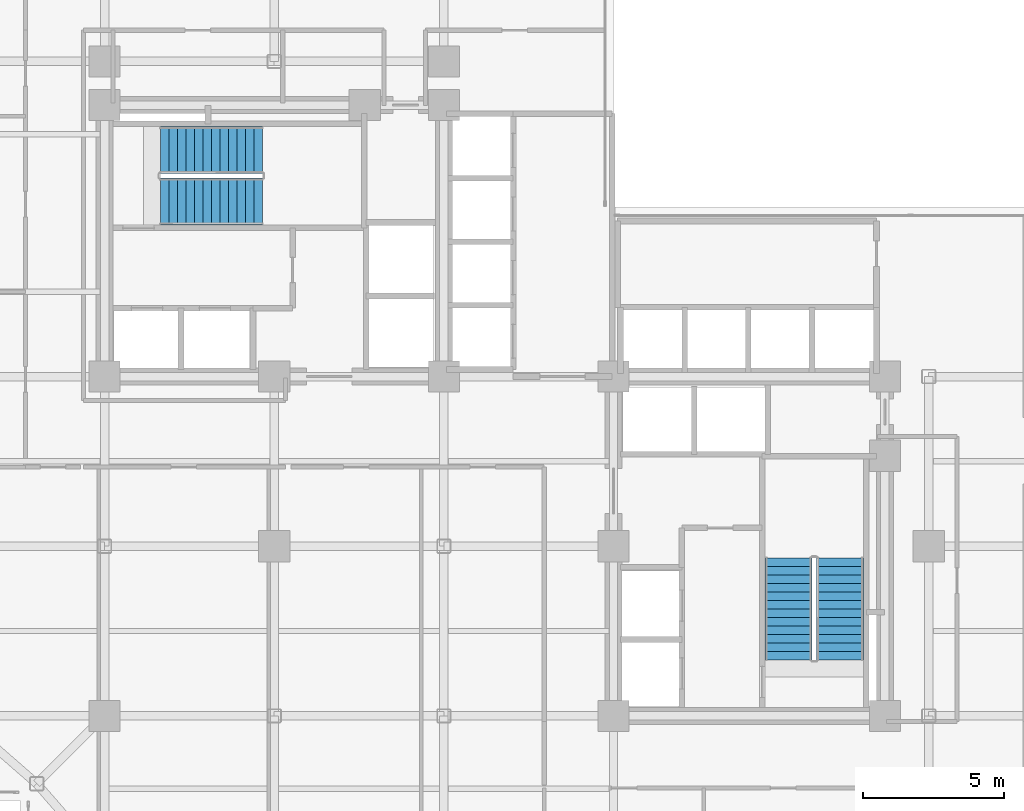
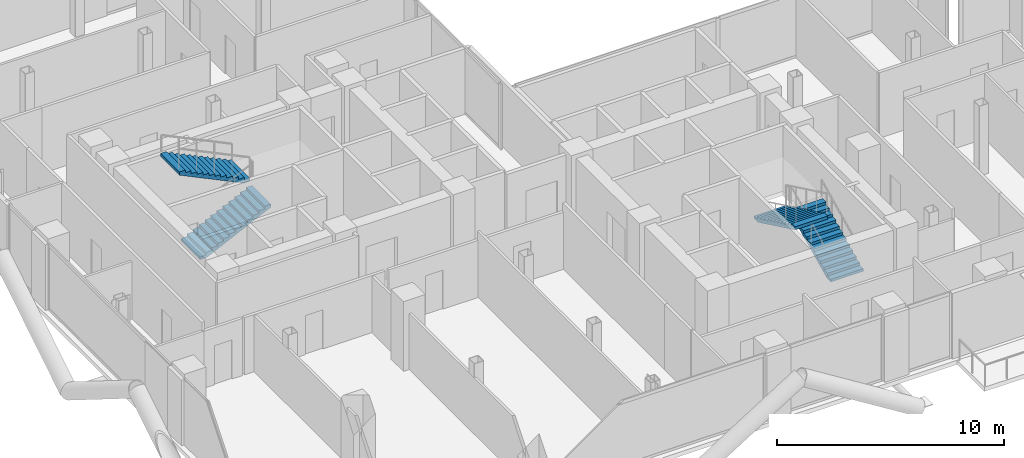
# One storey, part 25 of 28: 4 stair flights, 2 elements without a shape of their own.
"""IFC4 building model written with IfcOpenShell, lengths in metres."""

from ifc_helpers import new_model, si_unit, direction, frame, origin, place, context, subcontext, project, spatial, polyline, outline, extrude, material, type_object, element, aggregate, save


model = new_model("IFC4")

# Units and contexts
model_context = context("Model", 3, precision=1e-05, world=origin(), true_north=direction((0.0, 1.0)))
body_context = subcontext(model_context, "Body", "Model", "MODEL_VIEW")
ifc_project = project(units=[si_unit("LENGTHUNIT", "METRE"), si_unit("AREAUNIT", "SQUARE_METRE"), si_unit("VOLUMEUNIT", "CUBIC_METRE"), si_unit("PLANEANGLEUNIT", "RADIAN"), si_unit("MASSUNIT", "GRAM", prefix="KILO"), si_unit("THERMODYNAMICTEMPERATUREUNIT", "KELVIN"), si_unit("POWERUNIT", "WATT")], contexts=[model_context])

# Site, building, storey
site_placement = place(None, origin())
site = spatial("IfcSite", under=ifc_project, at=site_placement, CompositionType="ELEMENT")
building_placement = place(site_placement, origin())
building = spatial("IfcBuilding", under=site, at=building_placement, Name="Svarakhadi Broadcast Tower", CompositionType="ELEMENT")
storey_placement = place(building_placement, frame((0.0, 0.0, 103.35009765625)))
storey = spatial("IfcBuildingStorey", under=building, at=storey_placement, Name="L24", CompositionType="ELEMENT", Elevation=103.35009765625)

# Stair, stair flights
ifc_material = material(Name="Concrete C40/50 (IS 456 M50)", Category="concrete")
stair_type = type_object("IfcStairType", Name="Stair_Exit_Core", PredefinedType="HALF_TURN_STAIR", material=ifc_material)
stair_1_placement = place(storey_placement, origin())
stair_1 = element("IfcStair", 1, at=stair_1_placement, inside=storey, type_object=stair_type, Name="L24 West Core Protected Exit Stair ST-01", PredefinedType="HALF_TURN_STAIR")
stair_flight_type = type_object("IfcStairFlightType", Name="Flight_RC_1680", PredefinedType="STRAIGHT", material=ifc_material)
stair_flight_1_placement = place(storey_placement, frame((7.97998046875, 24.18994140625, 0.0), z_axis=(0.0, 0.0, 1.0), x_axis=(1.0, 0.0, 0.0)))
stair_flight_1 = element("IfcStairFlight", 2, at=stair_flight_1_placement, type_object=stair_flight_type, Name="ST-01 flight 1", NumberOfRisers=13, NumberOfTreads=12, PredefinedType="STRAIGHT", RiserHeight=0.144230769, TreadLength=0.3, context=body_context, shape_type="SweptSolid", body=[
    extrude(outline(polyline([(0.0, 0.0), (0.0, 0.144287109375), (0.300048828125, 0.144287109375), (0.300048828125, 0.28857421875), (0.60009765625, 0.28857421875), (0.60009765625, 0.4326171875), (0.89990234375, 0.4326171875), (0.89990234375, 0.576904296875), (1.199951171875, 0.576904296875), (1.199951171875, 0.72119140625), (1.5, 0.72119140625), (1.5, 0.865478515625), (1.800048828125, 0.865478515625), (1.800048828125, 1.009521484375), (2.10009765625, 1.009521484375), (2.10009765625, 1.15380859375), (2.39990234375, 1.15380859375), (2.39990234375, 1.298095703125), (2.699951171875, 1.298095703125), (2.699951171875, 1.4423828125), (3.0, 1.4423828125), (3.0, 1.58642578125), (3.300048828125, 1.58642578125), (3.300048828125, 1.730712890625), (3.60009765625, 1.730712890625), (3.60009765625, 1.875), (3.60009765625, 1.564453125), (0.345947265625, 0.0), (0.0, 0.0)])), frame((0.0, 0.830078125, 0.0), z_axis=(0.0, -1.0, 0.0), x_axis=(1.0, 0.0, 0.0)), (0.0, 0.0, 1.0), 1.659912109375),
])
stair_flight_2_placement = place(storey_placement, frame((11.580078125, 26.010009765625, 1.875), z_axis=(0.0, 0.0, 1.0), x_axis=(-1.0, 0.0, 0.0)))
stair_flight_2 = element("IfcStairFlight", 3, at=stair_flight_2_placement, type_object=stair_flight_type, Name="ST-01 flight 2", NumberOfRisers=13, NumberOfTreads=12, PredefinedType="STRAIGHT", RiserHeight=0.144230769, TreadLength=0.3, context=body_context, shape_type="SweptSolid", body=[
    extrude(outline(polyline([(0.0, 0.0), (0.0, 0.144287109375), (0.300048828125, 0.144287109375), (0.300048828125, 0.28857421875), (0.60009765625, 0.28857421875), (0.60009765625, 0.4326171875), (0.89990234375, 0.4326171875), (0.89990234375, 0.576904296875), (1.199951171875, 0.576904296875), (1.199951171875, 0.72119140625), (1.5, 0.72119140625), (1.5, 0.865478515625), (1.800048828125, 0.865478515625), (1.800048828125, 1.009521484375), (2.10009765625, 1.009521484375), (2.10009765625, 1.15380859375), (2.39990234375, 1.15380859375), (2.39990234375, 1.298095703125), (2.699951171875, 1.298095703125), (2.699951171875, 1.4423828125), (3.0, 1.4423828125), (3.0, 1.58642578125), (3.300048828125, 1.58642578125), (3.300048828125, 1.730712890625), (3.60009765625, 1.730712890625), (3.60009765625, 1.875), (3.60009765625, 1.564453125), (0.345947265625, 0.0), (0.0, 0.0)])), frame((0.0, 0.830078125, 0.0), z_axis=(0.0, -1.0, 0.0), x_axis=(1.0, 0.0, 0.0)), (0.0, 0.0, 1.0), 1.659912109375),
])
aggregate(stair_1, [stair_flight_1, stair_flight_2])

stair_2_placement = place(storey_placement, origin())
stair_2 = element("IfcStair", 4, at=stair_2_placement, inside=storey, type_object=stair_type, Name="L24 East Core Protected Exit Stair ST-02", PredefinedType="HALF_TURN_STAIR")
stair_flight_3_placement = place(storey_placement, frame((32.010009765625, 7.97998046875, 0.0), z_axis=(0.0, 0.0, 1.0), x_axis=(0.0, 1.0, 0.0)))
stair_flight_3 = element("IfcStairFlight", 5, at=stair_flight_3_placement, type_object=stair_flight_type, Name="ST-02 flight 1", NumberOfRisers=13, NumberOfTreads=12, PredefinedType="STRAIGHT", RiserHeight=0.144230769, TreadLength=0.3, context=body_context, shape_type="SweptSolid", body=[
    extrude(outline(polyline([(0.0, 0.0), (0.0, 0.144287109375), (0.300048828125, 0.144287109375), (0.300048828125, 0.28857421875), (0.60009765625, 0.28857421875), (0.60009765625, 0.4326171875), (0.89990234375, 0.4326171875), (0.89990234375, 0.576904296875), (1.199951171875, 0.576904296875), (1.199951171875, 0.72119140625), (1.5, 0.72119140625), (1.5, 0.865478515625), (1.800048828125, 0.865478515625), (1.800048828125, 1.009521484375), (2.10009765625, 1.009521484375), (2.10009765625, 1.15380859375), (2.39990234375, 1.15380859375), (2.39990234375, 1.298095703125), (2.699951171875, 1.298095703125), (2.699951171875, 1.4423828125), (3.0, 1.4423828125), (3.0, 1.58642578125), (3.300048828125, 1.58642578125), (3.300048828125, 1.730712890625), (3.60009765625, 1.730712890625), (3.60009765625, 1.875), (3.60009765625, 1.564453125), (0.345947265625, 0.0), (0.0, 0.0)])), frame((0.0, 0.830078125, 0.0), z_axis=(0.0, -1.0, 0.0), x_axis=(1.0, 0.0, 0.0)), (0.0, 0.0, 1.0), 1.659912109375),
])
stair_flight_4_placement = place(storey_placement, frame((30.18994140625, 11.580078125, 1.875), z_axis=(0.0, 0.0, 1.0), x_axis=(0.0, -1.0, 0.0)))
stair_flight_4 = element("IfcStairFlight", 6, at=stair_flight_4_placement, type_object=stair_flight_type, Name="ST-02 flight 2", NumberOfRisers=13, NumberOfTreads=12, PredefinedType="STRAIGHT", RiserHeight=0.144230769, TreadLength=0.3, context=body_context, shape_type="SweptSolid", body=[
    extrude(outline(polyline([(0.0, 0.0), (0.0, 0.144287109375), (0.300048828125, 0.144287109375), (0.300048828125, 0.28857421875), (0.60009765625, 0.28857421875), (0.60009765625, 0.4326171875), (0.89990234375, 0.4326171875), (0.89990234375, 0.576904296875), (1.199951171875, 0.576904296875), (1.199951171875, 0.72119140625), (1.5, 0.72119140625), (1.5, 0.865478515625), (1.800048828125, 0.865478515625), (1.800048828125, 1.009521484375), (2.10009765625, 1.009521484375), (2.10009765625, 1.15380859375), (2.39990234375, 1.15380859375), (2.39990234375, 1.298095703125), (2.699951171875, 1.298095703125), (2.699951171875, 1.4423828125), (3.0, 1.4423828125), (3.0, 1.58642578125), (3.300048828125, 1.58642578125), (3.300048828125, 1.730712890625), (3.60009765625, 1.730712890625), (3.60009765625, 1.875), (3.60009765625, 1.564453125), (0.345947265625, 0.0), (0.0, 0.0)])), frame((0.0, 0.830078125, 0.0), z_axis=(0.0, -1.0, 0.0), x_axis=(1.0, 0.0, 0.0)), (0.0, 0.0, 1.0), 1.659912109375),
])
aggregate(stair_2, [stair_flight_3, stair_flight_4])

save(model, "model.ifc")
